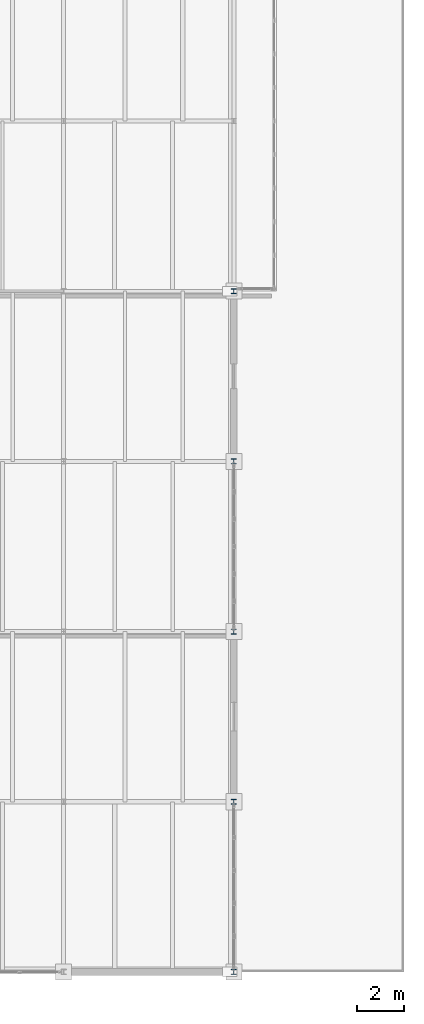
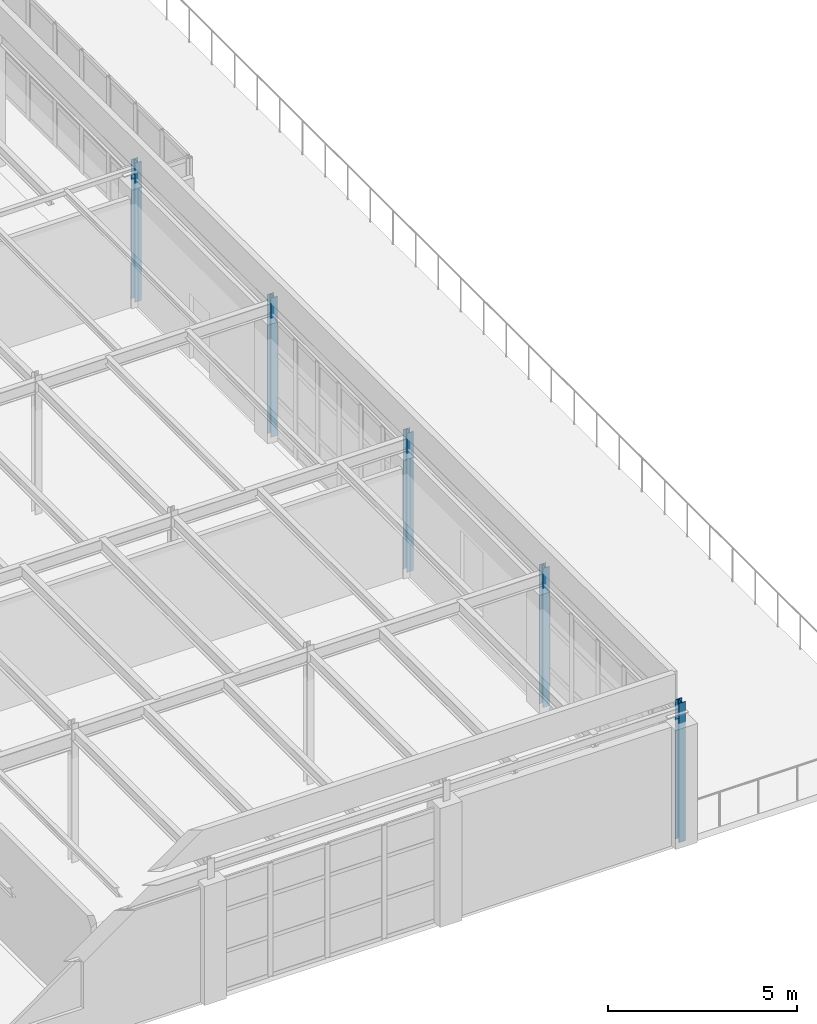
# One storey, part 4 of 43: 5 columns.
"""IFC4 building model written with IfcOpenShell, lengths in metres."""

from ifc_helpers import new_model, si_unit, direction, frame, origin, origin_2d, place, context, subcontext, project, spatial, i_section, extrude, material, material_profile, profile_set, type_object, element, save


model = new_model("IFC4")

# Units and contexts
model_context = context("Model", 3, precision=1e-05, world=origin(), true_north=direction((0.0, 1.0)))
body_context = subcontext(model_context, "Body", "Model", "MODEL_VIEW")
ifc_project = project(units=[si_unit("LENGTHUNIT", "METRE"), si_unit("AREAUNIT", "SQUARE_METRE"), si_unit("VOLUMEUNIT", "CUBIC_METRE"), si_unit("PLANEANGLEUNIT", "RADIAN"), si_unit("MASSUNIT", "GRAM", prefix="KILO")], contexts=[model_context])

# Site, building, storey
site_placement = place(None, origin())
site = spatial("IfcSite", under=ifc_project, at=site_placement, CompositionType="ELEMENT")
building_placement = place(site_placement, origin())
building = spatial("IfcBuilding", under=site, at=building_placement, Name="Kemerveld Promenade Tramway Depot", CompositionType="ELEMENT")
storey_placement = place(building_placement, frame((0.0, 0.0, 18.89990234375)))
storey = spatial("IfcBuildingStorey", under=building, at=storey_placement, Name="L04", CompositionType="ELEMENT", Elevation=18.89990234375)

# Columns
ifc_material = material(Name="Steel S355", Category="steel")
ifc_material_profile = material_profile(ifc_material, i_section(OverallWidth=0.205810546875, OverallDepth=0.209716796875, WebThickness=0.009521484375, FlangeThickness=0.01416015625, FilletRadius=0.01025390625, at=origin_2d()), Name="203x203x60 UC")
ifc_profile_set = profile_set([ifc_material_profile], Name="Steel S355")
column_type = type_object("IfcColumnType", Name="COL-S10", PredefinedType="COLUMN", material=ifc_profile_set)
for number, where, z_axis, x_axis, name in (
    (1, (36.0, 0.0, 0.0), (0.0, 0.0, 1.0), (1.0, 0.0, 0.0), "COL-L04-06-A"),
    (2, (36.0, 7.199951171875, 0.0), (0.0, 0.0, 1.0), (1.0, 0.0, 0.0), "COL-L04-06-B"),
    (3, (36.0, 14.39990234375, 0.0), (0.0, 0.0, 1.0), (1.0, 0.0, 0.0), "COL-L04-06-C"),
    (4, (36.0, 21.60009765625, 0.0), (0.0, 0.0, 1.0), (1.0, 0.0, 0.0), "COL-L04-06-D"),
    (5, (36.0, 28.800048828125, 0.0), (0.0, 0.0, 1.0), (1.0, 0.0, 0.0), "COL-L04-06-E"),
):
    element("IfcColumn", number, at=place(storey_placement, frame(where, z_axis=z_axis, x_axis=x_axis)), inside=storey, type_object=column_type, Name=name, PredefinedType="COLUMN", context=body_context, shape_type="SweptSolid", body=[
        extrude(i_section(OverallWidth=0.205810546875, OverallDepth=0.209716796875, WebThickness=0.009521484375, FlangeThickness=0.01416015625, FilletRadius=0.01025390625, at=origin_2d()), origin(), (0.0, 0.0, 1.0), 4.5),
    ])

save(model, "model.ifc")
